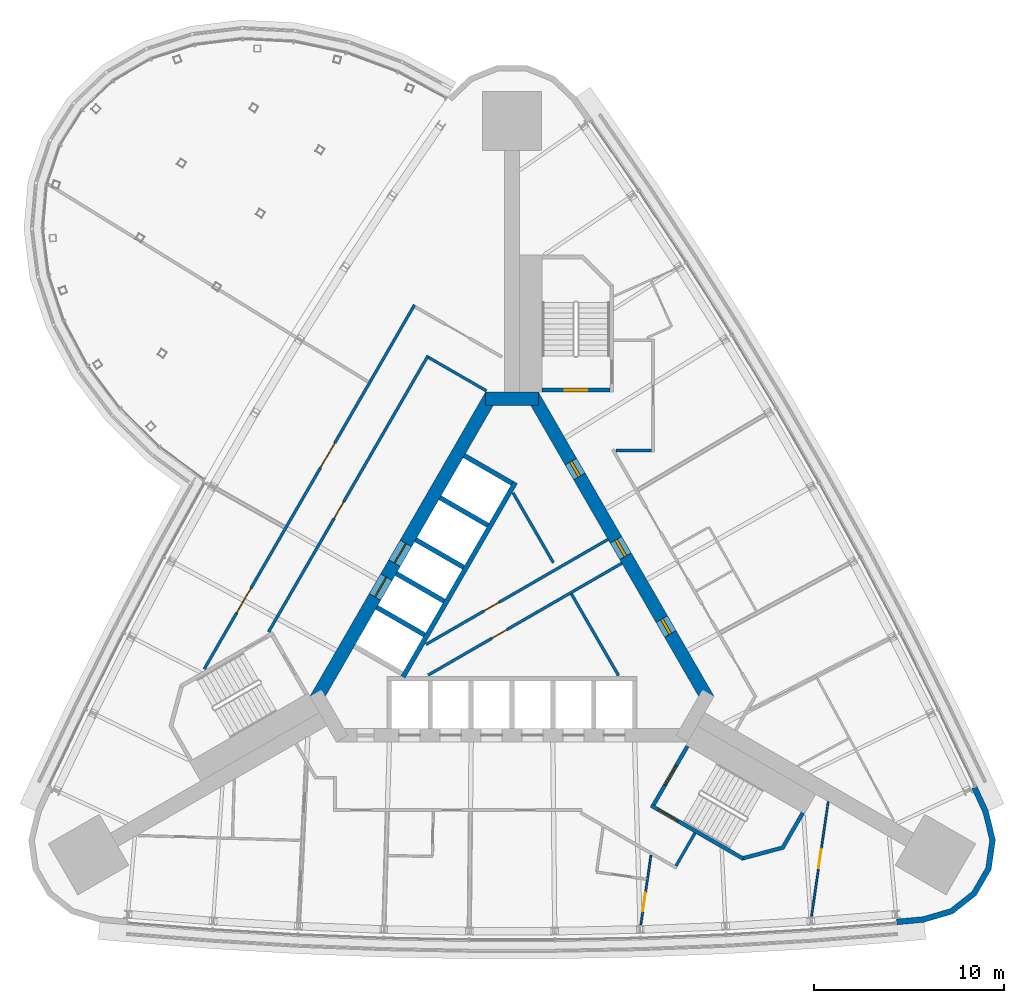
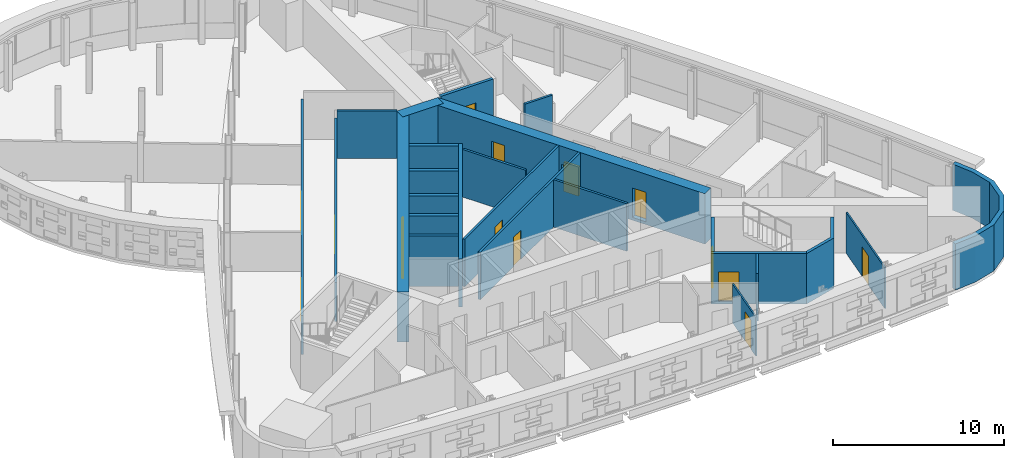
# One storey, part 11 of 16: 25 walls, 15 doors, 15 openings.
"""IFC4 building model written with IfcOpenShell, lengths in metres."""

import ifcopenshell
import ifcopenshell.guid

model = None  # the IFC model being written
_history = None  # IfcOwnerHistory: only IFC2X3 demands one
_inside = {}  # id of a spatial element -> (the spatial element, [elements in it])
_under = {}  # id of a project, library or spatial element -> (it, [spatial elements below it])
_declared = {}  # id of a project -> (the project, [libraries it declares])
_typed = {}  # id of a type object -> (the type object, [elements of that type])
_made_of = {}  # id of a material, layer set ... -> (it, [elements and type objects made of it])


def new_model(schema):
    """Start an empty IFC model of exactly this schema.

    Asked for "IFC4X3", IfcOpenShell would pick the latest addendum, in which some entities
    have other attributes; the version numbers below select the first issue.
    IFC2X3 requires an IfcOwnerHistory on every rooted entity: one is made here for all.
    """
    global model, _history
    if schema == "IFC4X3":
        model = ifcopenshell.file(schema_version=(4, 3, 0, 0))
    else:
        model = ifcopenshell.file(schema=schema)
    _inside.clear()
    _under.clear()
    _declared.clear()
    _typed.clear()
    _made_of.clear()
    _history = None
    if model.schema == "IFC2X3":
        org = make("IfcOrganization", Name="unknown")
        user = make(
            "IfcPersonAndOrganization",
            ThePerson=make("IfcPerson", FamilyName="unknown"),
            TheOrganization=org,
        )
        app = make(
            "IfcApplication",
            ApplicationDeveloper=org,
            Version="unknown",
            ApplicationFullName="unknown",
            ApplicationIdentifier="unknown",
        )
        _history = make(
            "IfcOwnerHistory",
            OwningUser=user,
            OwningApplication=app,
            ChangeAction="ADDED",
            CreationDate=0,
        )
    return model


def make(cls, **values):
    """One entity of the class cls with the attributes given. An attribute that is None is left unset."""
    return model.create_entity(
        cls, **{name: value for name, value in values.items() if value is not None}
    )


def rooted(cls, **values):
    """An entity with a GlobalId (a new one), such as an element, a storey or a relation."""
    return make(cls, GlobalId=ifcopenshell.guid.new(), OwnerHistory=_history, **values)


def si_unit(unit_type, name, prefix=None):
    """IfcSIUnit, for example si_unit("LENGTHUNIT", "METRE", prefix="MILLI")."""
    return make("IfcSIUnit", UnitType=unit_type, Prefix=prefix, Name=name)


def assignment(units):
    """IfcUnitAssignment: the units of a project."""
    return None if units is None else make("IfcUnitAssignment", Units=units)


def point(xyz):
    """IfcCartesianPoint."""
    return None if xyz is None else make("IfcCartesianPoint", Coordinates=xyz)


def direction(xyz):
    """IfcDirection."""
    return None if xyz is None else make("IfcDirection", DirectionRatios=xyz)


def frame(location, z_axis=None, x_axis=None):
    """IfcAxis2Placement3D, a coordinate frame: its origin and axes. An axis left out is left unset."""
    return make(
        "IfcAxis2Placement3D",
        Location=point(location),
        Axis=direction(z_axis),
        RefDirection=direction(x_axis),
    )


def frame_2d(location, x_axis=None):
    """IfcAxis2Placement2D, a coordinate frame in the plane: its origin and x axis."""
    return make(
        "IfcAxis2Placement2D", Location=point(location), RefDirection=direction(x_axis)
    )


def origin():
    """The frame at (0, 0, 0) with its axes left unset."""
    return frame((0.0, 0.0, 0.0))


def place(relative_to, where):
    """IfcLocalPlacement: puts the frame where relative to a parent placement (None: the world)."""
    return make(
        "IfcLocalPlacement", PlacementRelTo=relative_to, RelativePlacement=where
    )


def context(
    kind, dimensions, precision=None, world=None, true_north=None, identifier=None
):
    """IfcGeometricRepresentationContext, for example the 3D "Model" context."""
    return make(
        "IfcGeometricRepresentationContext",
        ContextIdentifier=identifier,
        ContextType=kind,
        CoordinateSpaceDimension=dimensions,
        Precision=precision,
        WorldCoordinateSystem=world,
        TrueNorth=true_north,
    )


def subcontext(parent, identifier, kind, view, scale=None):
    """IfcGeometricRepresentationSubContext, for example "Body" below "Model"."""
    return make(
        "IfcGeometricRepresentationSubContext",
        ContextIdentifier=identifier,
        ContextType=kind,
        ParentContext=parent,
        TargetScale=scale,
        TargetView=view,
    )


def project(units=None, contexts=None):
    """IfcProject with its units and contexts."""
    return rooted(
        "IfcProject",
        Name="project",
        RepresentationContexts=contexts,
        UnitsInContext=assignment(units),
    )


def spatial(cls, under=None, at=None, **own):
    """A site, building, storey or space (cls), placed at a placement, below another one or the project."""
    s = rooted(cls, ObjectPlacement=at, **own)
    if under is not None:
        _under.setdefault(under.id(), (under, []))[1].append(s)
    return s


def polyline(points):
    """IfcPolyline through the points."""
    return make("IfcPolyline", Points=[point(p) for p in points])


def profile(cls, at=None, kind="AREA", **sizes):
    """A parametric profile (cls). Its sizes go by their IFC names, for example OverallWidth=200.0."""
    return make(cls, ProfileType=kind, Position=at, **sizes)


def rectangle(**sizes):
    """IfcRectangleProfileDef."""
    return profile("IfcRectangleProfileDef", **sizes)


def outline(outer, holes=None, kind="AREA"):
    """IfcArbitraryClosedProfileDef: a profile drawn as a closed curve; with holes, ...WithVoids."""
    if holes is None:
        return make("IfcArbitraryClosedProfileDef", ProfileType=kind, OuterCurve=outer)
    return make(
        "IfcArbitraryProfileDefWithVoids",
        ProfileType=kind,
        OuterCurve=outer,
        InnerCurves=holes,
    )


def extrude(swept, where, along, depth):
    """IfcExtrudedAreaSolid: the profile swept, set in the frame where, extruded along a direction by depth."""
    return make(
        "IfcExtrudedAreaSolid",
        SweptArea=swept,
        Position=where,
        ExtrudedDirection=direction(along),
        Depth=depth,
    )


def shape(context_of_items, identifier, shape_type, items):
    """IfcShapeRepresentation: the items that make up one representation, for example the "Body"."""
    return make(
        "IfcShapeRepresentation",
        ContextOfItems=context_of_items,
        RepresentationIdentifier=identifier,
        RepresentationType=shape_type,
        Items=items,
    )


def material(Name=None, Category=None):
    """IfcMaterial."""
    return make("IfcMaterial", Name=Name, Category=Category)


def layer(
    of_material, thickness, ventilated=None, Name=None, Category=None, Priority=None
):
    """IfcMaterialLayer: one layer of a wall or slab, of a material (None: an air gap)."""
    return make(
        "IfcMaterialLayer",
        Material=of_material,
        LayerThickness=thickness,
        IsVentilated=ventilated,
        Name=Name,
        Category=Category,
        Priority=Priority,
    )


def layer_set(layers, Name=None):
    """IfcMaterialLayerSet."""
    return make("IfcMaterialLayerSet", MaterialLayers=layers, LayerSetName=Name)


def made_of(thing, what):
    """Note that an element or type object is made of a material, layer set ...; save() writes the relation."""
    if what is not None:
        _made_of.setdefault(what.id(), (what, []))[1].append(thing)
    return thing


def type_object(cls, material=None, **own):
    """A type object (cls), such as IfcWallType, which elements share."""
    return made_of(rooted(cls, **own), material)


def element(
    cls,
    number,
    at=None,
    inside=None,
    cuts=None,
    type_object=None,
    material=None,
    context=None,
    identifier="Body",
    shape_type=None,
    held_by="IfcProductDefinitionShape",
    body=None,
    shapes=None,
    **own,
):
    """One element of the class cls, such as IfcWall. Its Tag is "e" and its number.

    at: its placement. inside: the storey or other place that contains it. cuts: it is an
    opening in that element (IfcRelVoidsElement). A single representation is given by context,
    identifier, shape_type and body (its items); several are given by shapes. held_by: the class
    of the entity that holds the representations. save() writes the other relations.
    """
    e = rooted(cls, Tag="e%d" % number, ObjectPlacement=at, **own)
    if body is not None:
        shapes = [shape(context, identifier, shape_type, body)]
    if shapes is not None:
        e.Representation = make(held_by, Representations=shapes)
    if inside is not None:
        _inside.setdefault(inside.id(), (inside, []))[1].append(e)
    if cuts is not None:
        rooted(
            "IfcRelVoidsElement", RelatingBuildingElement=cuts, RelatedOpeningElement=e
        )
    if type_object is not None:
        _typed.setdefault(type_object.id(), (type_object, []))[1].append(e)
    return made_of(e, material)


def fill(opening, filler):
    """IfcRelFillsElement: the door or window that sits in an opening."""
    return rooted(
        "IfcRelFillsElement",
        RelatingOpeningElement=opening,
        RelatedBuildingElement=filler,
    )


def aggregate(whole, parts):
    """IfcRelAggregates: a whole, such as a stair, and the parts it consists of."""
    return rooted("IfcRelAggregates", RelatingObject=whole, RelatedObjects=parts)


def save(model, path):
    """Write the relations noted so far, then the file.

    IfcRelAggregates (storeys below a building ...), IfcRelContainedInSpatialStructure (elements
    in a storey), IfcRelDefinesByType, IfcRelAssociatesMaterial and IfcRelDeclares: one each for
    every whole, place, type object, material and project.
    """
    for whole, parts in _under.values():
        aggregate(whole, parts)
    for where, things in _inside.values():
        rooted(
            "IfcRelContainedInSpatialStructure",
            RelatedElements=things,
            RelatingStructure=where,
        )
    for kind, things in _typed.values():
        rooted("IfcRelDefinesByType", RelatedObjects=things, RelatingType=kind)
    for what, things in _made_of.values():
        rooted("IfcRelAssociatesMaterial", RelatedObjects=things, RelatingMaterial=what)
    for by, libraries in _declared.values():
        rooted("IfcRelDeclares", RelatingContext=by, RelatedDefinitions=libraries)
    model.write(path)


model = new_model("IFC4")

# Units and contexts
model_context = context("Model", 3, precision=1e-05, world=origin(), true_north=direction((0.0, 1.0)))
body_context = subcontext(model_context, "Body", "Model", "MODEL_VIEW")
ifc_project = project(units=[si_unit("LENGTHUNIT", "METRE"), si_unit("AREAUNIT", "SQUARE_METRE"), si_unit("VOLUMEUNIT", "CUBIC_METRE"), si_unit("PLANEANGLEUNIT", "RADIAN"), si_unit("MASSUNIT", "GRAM", prefix="KILO")], contexts=[model_context])

# Site, building, storey
site_placement = place(None, origin())
site = spatial("IfcSite", under=ifc_project, at=site_placement, CompositionType="ELEMENT")
building_placement = place(site_placement, origin())
building = spatial("IfcBuilding", under=site, at=building_placement, Name="Noor Cloister Tower", CompositionType="ELEMENT")
storey_placement = place(building_placement, frame((0.0, 0.0, 91.5)))
storey = spatial("IfcBuildingStorey", under=building, at=storey_placement, Name="L23", CompositionType="ELEMENT", Elevation=91.5)

# Wall, opening, door
ifc_material_1 = material(Name="Concrete C30/37", Category="concrete")
ifc_layer_1 = layer(ifc_material_1, 0.14990234375)
ifc_layer_set_1 = layer_set([ifc_layer_1], Name="Core partition 150 C30/37")
wall_type_1 = type_object("IfcWallType", Name="Core partition 150 C30/37", PredefinedType="PARTITIONING", material=ifc_layer_set_1)
wall_1_placement = place(storey_placement, frame((-4.522705078125, -1.80712890625, 0.0), z_axis=(0.0, 0.0, 1.0), x_axis=(0.866030300338, 0.499991518824, 0.0)))
wall_1 = element("IfcWall", 1, at=wall_1_placement, inside=storey, type_object=wall_type_1, Name="Core room partition L23 1", PredefinedType="PARTITIONING", context=body_context, shape_type="SweptSolid", body=[
    extrude(rectangle(XDim=11.048583984375, YDim=0.14990234375, at=frame_2d((5.5244140625, 0.0))), origin(), (0.0, 0.0, 1.0), 3.39990234375),
])
opening_1_placement = place(wall_1_placement, frame((3.525390625, 0.0, 0.0)))
opening_1 = element("IfcOpeningElement", 2, at=opening_1_placement, cuts=wall_1, Name="Opening L23-906", PredefinedType="OPENING", context=body_context, shape_type="SweptSolid", body=[
    extrude(rectangle(XDim=0.89990234375, YDim=2.10009765625, at=frame_2d((0.449951171875, 1.050048828125))), frame((0.0, 0.0849609375, 0.0), z_axis=(0.0, -1.0, 0.0), x_axis=(1.0, 0.0, 0.0)), (0.0, 0.0, 1.0), 0.169921875),
])
ifc_material_2 = material(Name="Steel", Category="steel")
door_type_1 = type_object("IfcDoorType", Name="Core door 900 x 2100 FD60", OperationType="SINGLE_SWING_LEFT", PredefinedType="DOOR", material=ifc_material_2)
door_1_placement = place(opening_1_placement, origin())
door_1 = element("IfcDoor", 3, at=door_1_placement, inside=storey, type_object=door_type_1, Name="Core door 6 L23", OperationType="SINGLE_SWING_RIGHT", OverallHeight=2.10009765625, OverallWidth=0.89990234375, PredefinedType="DOOR", context=body_context, shape_type="SweptSolid", body=[
    extrude(rectangle(XDim=0.89990234375, YDim=2.10009765625, at=frame_2d((0.449951171875, 1.050048828125))), frame((0.0, 0.02490234375, 0.0), z_axis=(0.0, -1.0, 0.0), x_axis=(1.0, 0.0, 0.0)), (0.0, 0.0, 1.0), 0.050048828125),
])
fill(opening_1, door_1)

wall_2_placement = place(storey_placement, frame((-4.404296875, -3.4130859375, 0.0), z_axis=(0.0, 0.0, 1.0), x_axis=(0.866022252853, 0.500005457533, 0.0)))
wall_2 = element("IfcWall", 4, at=wall_2_placement, inside=storey, type_object=wall_type_1, Name="Core room partition L23 2", PredefinedType="PARTITIONING", context=body_context, shape_type="SweptSolid", body=[
    extrude(rectangle(XDim=11.748779296875, YDim=0.14990234375, at=frame_2d((5.87451171875, 0.0))), origin(), (0.0, 0.0, 1.0), 3.39990234375),
])
opening_2_placement = place(wall_2_placement, frame((3.87548828125, 0.0, 0.0)))
opening_2 = element("IfcOpeningElement", 5, at=opening_2_placement, cuts=wall_2, Name="Opening L23-904", PredefinedType="OPENING", context=body_context, shape_type="SweptSolid", body=[
    extrude(rectangle(XDim=0.89990234375, YDim=2.10009765625, at=frame_2d((0.449951171875, 1.050048828125))), frame((0.0, 0.0849609375, 0.0), z_axis=(0.0, -1.0, 0.0), x_axis=(1.0, 0.0, 0.0)), (0.0, 0.0, 1.0), 0.169921875),
])
ifc_material_3 = material(Name="Steel", Category="steel")
door_type_2 = type_object("IfcDoorType", Name="Core door 900 x 2100 FD120", OperationType="SINGLE_SWING_LEFT", PredefinedType="DOOR", material=ifc_material_3)
door_2_placement = place(opening_2_placement, origin())
door_2 = element("IfcDoor", 6, at=door_2_placement, inside=storey, type_object=door_type_2, Name="Core door 4 L23", OperationType="SINGLE_SWING_RIGHT", OverallHeight=2.10009765625, OverallWidth=0.89990234375, PredefinedType="DOOR", context=body_context, shape_type="SweptSolid", body=[
    extrude(rectangle(XDim=0.89990234375, YDim=2.10009765625, at=frame_2d((0.449951171875, 1.050048828125))), frame((0.0, 0.02490234375, 0.0), z_axis=(0.0, -1.0, 0.0), x_axis=(1.0, 0.0, 0.0)), (0.0, 0.0, 1.0), 0.050048828125),
])
fill(opening_2, door_2)

# Walls
wall_3_placement = place(storey_placement, frame((2.173583984375, 2.491943359375, 0.0), z_axis=(0.0, 0.0, 1.0), x_axis=(-0.499999641798, 0.866025610592, 0.0)))
element("IfcWall", 7, at=wall_3_placement, inside=storey, type_object=wall_type_1, Name="Core room partition L23 3", PredefinedType="PARTITIONING", context=body_context, shape_type="SweptSolid", body=[
    extrude(rectangle(XDim=4.244140625, YDim=0.14990234375, at=frame_2d((2.1220703125, 0.0))), origin(), (0.0, 0.0, 1.0), 3.39990234375),
])
wall_4_placement = place(storey_placement, frame((5.597900390625, -3.439208984375, 0.0), z_axis=(0.0, 0.0, 1.0), x_axis=(-0.500007155043, 0.866021272779, 0.0)))
element("IfcWall", 8, at=wall_4_placement, inside=storey, type_object=wall_type_1, Name="Core room partition L23 4", PredefinedType="PARTITIONING", context=body_context, shape_type="SweptSolid", body=[
    extrude(rectangle(XDim=4.94873046875, YDim=0.14990234375, at=frame_2d((2.474365234375, 0.0))), origin(), (0.0, 0.0, 1.0), 3.39990234375),
])

# Wall, openings, doors
ifc_material_4 = material(Name="Concrete C80/95", Category="concrete")
ifc_layer_2 = layer(ifc_material_4, 0.699951171875)
ifc_layer_set_2 = layer_set([ifc_layer_2], Name="Core wall 700 C80/95")
wall_type_2 = type_object("IfcWallType", Name="Core wall 700 C80/95", PredefinedType="SHEAR", material=ifc_layer_set_2)
wall_5_placement = place(storey_placement, frame((10.311279296875, -4.703125, -0.199951171875), z_axis=(0.0, 0.0, 1.0), x_axis=(-0.500001446645, 0.866024568562, 0.0)))
wall_5 = element("IfcWall", 9, at=wall_5_placement, inside=storey, type_object=wall_type_2, Name="Core wall L23 3", PredefinedType="SHEAR", context=body_context, shape_type="SweptSolid", body=[
    extrude(rectangle(XDim=18.45751953125, YDim=0.699951171875, at=frame_2d((9.228759765625, 0.0))), origin(), (0.0, 0.0, 1.0), 3.599853515625),
])
opening_3_placement = place(wall_5_placement, frame((8.699951171875, 0.0, 0.199951171875)))
opening_3 = element("IfcOpeningElement", 10, at=opening_3_placement, cuts=wall_5, Name="Opening L23-901", PredefinedType="OPENING", context=body_context, shape_type="SweptSolid", body=[
    extrude(rectangle(XDim=1.0, YDim=2.10009765625, at=frame_2d((0.5, 1.050048828125))), frame((0.0, 0.35986328125, 0.0), z_axis=(0.0, -1.0, 0.0), x_axis=(1.0, 0.0, 0.0)), (0.0, 0.0, 1.0), 0.719970703125),
])
opening_4_placement = place(wall_5_placement, frame((3.989501953125, 0.0, 0.199951171875)))
opening_4 = element("IfcOpeningElement", 11, at=opening_4_placement, cuts=wall_5, Name="Opening L23-902", PredefinedType="OPENING", context=body_context, shape_type="SweptSolid", body=[
    extrude(rectangle(XDim=0.89990234375, YDim=2.10009765625, at=frame_2d((0.449951171875, 1.050048828125))), frame((0.0, 0.35986328125, 0.0), z_axis=(0.0, -1.0, 0.0), x_axis=(1.0, 0.0, 0.0)), (0.0, 0.0, 1.0), 0.719970703125),
])
opening_5_placement = place(wall_5_placement, frame((13.539306640625, 0.0, 0.199951171875)))
opening_5 = element("IfcOpeningElement", 12, at=opening_5_placement, cuts=wall_5, Name="Opening L23-903", PredefinedType="OPENING", context=body_context, shape_type="SweptSolid", body=[
    extrude(rectangle(XDim=0.89990234375, YDim=2.10009765625, at=frame_2d((0.449951171875, 1.050048828125))), frame((0.0, 0.35986328125, 0.0), z_axis=(0.0, -1.0, 0.0), x_axis=(1.0, 0.0, 0.0)), (0.0, 0.0, 1.0), 0.719970703125),
])
ifc_material_5 = material(Name="Steel", Category="steel")
door_type_3 = type_object("IfcDoorType", Name="Core door 1000 x 2100 FD120", OperationType="SINGLE_SWING_LEFT", PredefinedType="DOOR", material=ifc_material_5)
door_3_placement = place(opening_3_placement, origin())
door_3 = element("IfcDoor", 13, at=door_3_placement, inside=storey, type_object=door_type_3, Name="Core door 1 L23", OperationType="SINGLE_SWING_LEFT", OverallHeight=2.10009765625, OverallWidth=1.0, PredefinedType="DOOR", context=body_context, shape_type="SweptSolid", body=[
    extrude(rectangle(XDim=1.0, YDim=2.10009765625, at=frame_2d((0.5, 1.050048828125))), frame((0.0, 0.074951171875, 0.0), z_axis=(0.0, -1.0, 0.0), x_axis=(1.0, 0.0, 0.0)), (0.0, 0.0, 1.0), 0.14990234375),
])
fill(opening_3, door_3)
door_4_placement = place(opening_4_placement, origin())
door_4 = element("IfcDoor", 14, at=door_4_placement, inside=storey, type_object=door_type_2, Name="Core door 2 L23", OperationType="SINGLE_SWING_RIGHT", OverallHeight=2.10009765625, OverallWidth=0.89990234375, PredefinedType="DOOR", context=body_context, shape_type="SweptSolid", body=[
    extrude(rectangle(XDim=0.89990234375, YDim=2.10009765625, at=frame_2d((0.449951171875, 1.050048828125))), frame((0.0, 0.074951171875, 0.0), z_axis=(0.0, -1.0, 0.0), x_axis=(1.0, 0.0, 0.0)), (0.0, 0.0, 1.0), 0.14990234375),
])
fill(opening_4, door_4)
door_5_placement = place(opening_5_placement, origin())
door_5 = element("IfcDoor", 15, at=door_5_placement, inside=storey, type_object=door_type_2, Name="Core door 3 L23", OperationType="SINGLE_SWING_LEFT", OverallHeight=2.10009765625, OverallWidth=0.89990234375, PredefinedType="DOOR", context=body_context, shape_type="SweptSolid", body=[
    extrude(rectangle(XDim=0.89990234375, YDim=2.10009765625, at=frame_2d((0.449951171875, 1.050048828125))), frame((0.0, 0.074951171875, 0.0), z_axis=(0.0, -1.0, 0.0), x_axis=(1.0, 0.0, 0.0)), (0.0, 0.0, 1.0), 0.14990234375),
])
fill(opening_5, door_5)

# Wall
wall_6_placement = place(storey_placement, frame((1.3857421875, 11.1064453125, -0.199951171875), z_axis=(0.0, 0.0, 1.0), x_axis=(-1.0, 0.0, 0.0)))
element("IfcWall", 16, at=wall_6_placement, inside=storey, type_object=wall_type_2, Name="Core wall L23 4", PredefinedType="SHEAR", context=body_context, shape_type="SweptSolid", body=[
    extrude(rectangle(XDim=2.771484375, YDim=0.699951171875, at=frame_2d((1.3857421875, 0.0))), origin(), (0.0, 0.0, 1.0), 3.599853515625),
])

# Wall, openings, doors
wall_7_placement = place(storey_placement, frame((-1.08251953125, 11.281494140625, -0.199951171875), z_axis=(0.0, 0.0, 1.0), x_axis=(-0.500001446645, -0.866024568562, 0.0)))
wall_7 = element("IfcWall", 17, at=wall_7_placement, inside=storey, type_object=wall_type_2, Name="Core wall L23 5", PredefinedType="SHEAR", context=body_context, shape_type="SweptSolid", body=[
    extrude(rectangle(XDim=18.45751953125, YDim=0.699951171875, at=frame_2d((9.228759765625, 0.0))), origin(), (0.0, 0.0, 1.0), 3.599853515625),
])
opening_6_placement = place(wall_7_placement, frame((8.978759765625, 0.0, 0.199951171875)))
opening_6 = element("IfcOpeningElement", 18, at=opening_6_placement, cuts=wall_7, Name="Opening L23-FF1", PredefinedType="OPENING", context=body_context, shape_type="SweptSolid", body=[
    extrude(rectangle(XDim=1.199951171875, YDim=2.10009765625, at=frame_2d((0.60009765625, 1.050048828125))), frame((0.0, 0.35986328125, 0.0), z_axis=(0.0, -1.0, 0.0), x_axis=(1.0, 0.0, 0.0)), (0.0, 0.0, 1.0), 0.719970703125),
])
opening_7_placement = place(wall_7_placement, frame((11.02880859375, 0.0, 0.199951171875)))
opening_7 = element("IfcOpeningElement", 19, at=opening_7_placement, cuts=wall_7, Name="Opening L23-FF2", PredefinedType="OPENING", context=body_context, shape_type="SweptSolid", body=[
    extrude(rectangle(XDim=1.199951171875, YDim=2.10009765625, at=frame_2d((0.60009765625, 1.050048828125))), frame((0.0, 0.35986328125, 0.0), z_axis=(0.0, -1.0, 0.0), x_axis=(1.0, 0.0, 0.0)), (0.0, 0.0, 1.0), 0.719970703125),
])
ifc_material_6 = material(Name="Stainless steel", Category="steel")
door_type_4 = type_object("IfcDoorType", Name="Lift landing door 1200 x 2100", OperationType="DOUBLE_DOOR_SLIDING", PredefinedType="DOOR", material=ifc_material_6)
door_6_placement = place(opening_6_placement, origin())
door_6 = element("IfcDoor", 20, at=door_6_placement, inside=storey, type_object=door_type_4, Name="Landing door FF1 L23", OperationType="DOUBLE_DOOR_SLIDING", OverallHeight=2.10009765625, OverallWidth=1.199951171875, PredefinedType="DOOR", context=body_context, shape_type="SweptSolid", body=[
    extrude(rectangle(XDim=1.199951171875, YDim=2.10009765625, at=frame_2d((0.60009765625, 1.050048828125))), frame((0.0, 0.02490234375, 0.0), z_axis=(0.0, -1.0, 0.0), x_axis=(1.0, 0.0, 0.0)), (0.0, 0.0, 1.0), 0.050048828125),
])
fill(opening_6, door_6)
door_7_placement = place(opening_7_placement, origin())
door_7 = element("IfcDoor", 21, at=door_7_placement, inside=storey, type_object=door_type_4, Name="Landing door FF2 L23", OperationType="DOUBLE_DOOR_SLIDING", OverallHeight=2.10009765625, OverallWidth=1.199951171875, PredefinedType="DOOR", context=body_context, shape_type="SweptSolid", body=[
    extrude(rectangle(XDim=1.199951171875, YDim=2.10009765625, at=frame_2d((0.60009765625, 1.050048828125))), frame((0.0, 0.02490234375, 0.0), z_axis=(0.0, -1.0, 0.0), x_axis=(1.0, 0.0, 0.0)), (0.0, 0.0, 1.0), 0.050048828125),
])
fill(opening_7, door_7)

# Wall, opening, door
ifc_material_7 = material(Name="Fire-rated gypsum board partition on steel studs, 150 mm", Category="steel")
ifc_layer_3 = layer(ifc_material_7, 0.14990234375)
ifc_layer_set_3 = layer_set([ifc_layer_3], Name="Fire lobby wall 150")
wall_type_3 = type_object("IfcWallType", Name="Fire lobby wall 150", PredefinedType="PARTITIONING", material=ifc_layer_set_3)
wall_8_placement = place(storey_placement, frame((-4.40673828125, 13.373779296875, 0.0), z_axis=(0.0, 0.0, 1.0), x_axis=(-0.499997181693, -0.866027030928, 0.0)))
wall_8 = element("IfcWall", 22, at=wall_8_placement, inside=storey, type_object=wall_type_3, Name="Fire lobby wall 150 L23 002", PredefinedType="PARTITIONING", context=body_context, shape_type="SweptSolid", body=[
    extrude(rectangle(XDim=16.76953125, YDim=0.14990234375, at=frame_2d((8.384765625, 0.0))), origin(), (0.0, 0.0, 1.0), 2.778076171875),
])
opening_8_placement = place(wall_8_placement, frame((8.878662109375, 0.0, 0.0)))
opening_8 = element("IfcOpeningElement", 23, at=opening_8_placement, cuts=wall_8, Name="Opening L23-003", PredefinedType="OPENING", context=body_context, shape_type="SweptSolid", body=[
    extrude(rectangle(XDim=1.0, YDim=2.10009765625, at=frame_2d((0.5, 1.050048828125))), frame((0.0, 0.0849609375, 0.0), z_axis=(0.0, -1.0, 0.0), x_axis=(1.0, 0.0, 0.0)), (0.0, 0.0, 1.0), 0.169921875),
])
ifc_material_8 = material(Name="Timber door leaf with steel frame", Category="steel")
door_type_5 = type_object("IfcDoorType", Name="Fire lobby door 1000", OperationType="NOTDEFINED", PredefinedType="DOOR", material=ifc_material_8)
door_8_placement = place(opening_8_placement, origin())
door_8 = element("IfcDoor", 24, at=door_8_placement, inside=storey, type_object=door_type_5, Name="Fire lobby door 1000 L23-003", OperationType="SINGLE_SWING_RIGHT", OverallHeight=2.10009765625, OverallWidth=1.0, PredefinedType="DOOR", context=body_context, shape_type="SweptSolid", body=[
    extrude(rectangle(XDim=1.0, YDim=2.10009765625, at=frame_2d((0.5, 1.050048828125))), frame((0.0, 0.02490234375, 0.0), z_axis=(0.0, -1.0, 0.0), x_axis=(1.0, 0.0, 0.0)), (0.0, 0.0, 1.0), 0.050048828125),
])
fill(opening_8, door_8)

# Wall
wall_9_placement = place(storey_placement, frame((-4.379150390625, 13.271484375, 0.0), z_axis=(0.0, 0.0, 1.0), x_axis=(0.866019471182, -0.500010275428, 0.0)))
element("IfcWall", 25, at=wall_9_placement, inside=storey, type_object=wall_type_3, Name="Fire lobby wall 150 L23 008", PredefinedType="PARTITIONING", context=body_context, shape_type="SweptSolid", body=[
    extrude(rectangle(XDim=3.5, YDim=0.14990234375, at=frame_2d((1.75, 0.0))), origin(), (0.0, 0.0, 1.0), 3.39990234375),
])

# Wall, openings, doors
ifc_material_9 = material(Name="Gypsum board partition on steel studs, 150 mm", Category="steel")
ifc_layer_4 = layer(ifc_material_9, 0.14990234375)
ifc_layer_set_4 = layer_set([ifc_layer_4], Name="Flat wall 150")
wall_type_4 = type_object("IfcWallType", Name="Flat wall 150", PredefinedType="PARTITIONING", material=ifc_layer_set_4)
wall_10_placement = place(storey_placement, frame((-16.1689453125, -3.09912109375, 0.0), z_axis=(0.0, 0.0, 1.0), x_axis=(0.499999805269, 0.866025516212, 0.0)))
wall_10 = element("IfcWall", 26, at=wall_10_placement, inside=storey, type_object=wall_type_4, Name="Flat wall 150 L23 001", PredefinedType="PARTITIONING", context=body_context, shape_type="SweptSolid", body=[
    extrude(rectangle(XDim=22.09716796875, YDim=0.14990234375, at=frame_2d((11.048583984375, 0.0))), origin(), (0.0, 0.0, 1.0), 2.778076171875),
])
opening_9_placement = place(wall_10_placement, frame((12.22119140625, 0.0, 0.0)))
opening_9 = element("IfcOpeningElement", 27, at=opening_9_placement, cuts=wall_10, Name="Opening L23-001", PredefinedType="OPENING", context=body_context, shape_type="SweptSolid", body=[
    extrude(rectangle(XDim=1.5, YDim=2.10009765625, at=frame_2d((0.75, 1.050048828125))), frame((0.0, 0.0849609375, 0.0), z_axis=(0.0, -1.0, 0.0), x_axis=(1.0, 0.0, 0.0)), (0.0, 0.0, 1.0), 0.169921875),
])
opening_10_placement = place(wall_10_placement, frame((3.402587890625, 0.0, 0.0)))
opening_10 = element("IfcOpeningElement", 28, at=opening_10_placement, cuts=wall_10, Name="Opening L23-002", PredefinedType="OPENING", context=body_context, shape_type="SweptSolid", body=[
    extrude(rectangle(XDim=1.5, YDim=2.10009765625, at=frame_2d((0.75, 1.050048828125))), frame((0.0, 0.0849609375, 0.0), z_axis=(0.0, -1.0, 0.0), x_axis=(1.0, 0.0, 0.0)), (0.0, 0.0, 1.0), 0.169921875),
])
ifc_material_10 = material(Name="Timber door leaf with steel frame", Category="steel")
door_type_6 = type_object("IfcDoorType", Name="Double door 1500 FD60", OperationType="NOTDEFINED", PredefinedType="DOOR", material=ifc_material_10)
door_9_placement = place(opening_9_placement, origin())
door_9 = element("IfcDoor", 29, at=door_9_placement, inside=storey, type_object=door_type_6, Name="Double door 1500 L23-001", OperationType="DOUBLE_DOOR_SINGLE_SWING", OverallHeight=2.10009765625, OverallWidth=1.5, PredefinedType="DOOR", context=body_context, shape_type="SweptSolid", body=[
    extrude(rectangle(XDim=1.5, YDim=2.10009765625, at=frame_2d((0.75, 1.050048828125))), frame((0.0, 0.02490234375, 0.0), z_axis=(0.0, -1.0, 0.0), x_axis=(1.0, 0.0, 0.0)), (0.0, 0.0, 1.0), 0.050048828125),
])
fill(opening_9, door_9)
door_10_placement = place(opening_10_placement, origin())
door_10 = element("IfcDoor", 30, at=door_10_placement, inside=storey, type_object=door_type_6, Name="Double door 1500 L23-002", OperationType="DOUBLE_DOOR_SINGLE_SWING", OverallHeight=2.10009765625, OverallWidth=1.5, PredefinedType="DOOR", context=body_context, shape_type="SweptSolid", body=[
    extrude(rectangle(XDim=1.5, YDim=2.10009765625, at=frame_2d((0.75, 1.050048828125))), frame((0.0, 0.02490234375, 0.0), z_axis=(0.0, -1.0, 0.0), x_axis=(1.0, 0.0, 0.0)), (0.0, 0.0, 1.0), 0.050048828125),
])
fill(opening_10, door_10)

# Walls
wall_11_placement = place(storey_placement, frame((8.613525390625, -13.443603515625, 0.0), z_axis=(0.0, 0.0, 1.0), x_axis=(0.499972520799, 0.866041268327, 0.0)))
element("IfcWall", 31, at=wall_11_placement, inside=storey, type_object=wall_type_4, Name="Flat wall 150 L23 010", PredefinedType="PARTITIONING", context=body_context, shape_type="SweptSolid", body=[
    extrude(rectangle(XDim=2.0, YDim=0.14990234375, at=frame_2d((1.0, 0.0))), origin(), (0.0, 0.0, 1.0), 3.39990234375),
])
wall_12_placement = place(storey_placement, frame((5.4560546875, 8.38134765625, 0.0), z_axis=(0.0, 0.0, 1.0), x_axis=(1.0, 0.0, 0.0)))
element("IfcWall", 32, at=wall_12_placement, inside=storey, type_object=wall_type_4, Name="Flat wall 150 L23 013", PredefinedType="PARTITIONING", context=body_context, shape_type="SweptSolid", body=[
    extrude(rectangle(XDim=1.879638671875, YDim=0.14990234375, at=frame_2d((0.93994140625, 0.0))), origin(), (0.0, 0.0, 1.0), 3.39990234375),
])
ifc_material_11 = material(Name="Limestone", Category="masonry")
ifc_layer_5 = layer(ifc_material_11, 0.300048828125)
ifc_layer_set_5 = layer_set([ifc_layer_5], Name="Limestone cladding 300")
wall_type_5 = type_object("IfcWallType", Name="Limestone cladding 300", PredefinedType="NOTDEFINED", material=ifc_layer_set_5)
wall_13_placement = place(storey_placement, origin())
element("IfcWall", 33, at=wall_13_placement, inside=storey, type_object=wall_type_5, Name="Limestone pier cladding L23 2.1", PredefinedType="NOTDEFINED", context=body_context, shape_type="SweptSolid", body=[
    extrude(outline(polyline([(20.2236328125, -16.53125), (21.65380859375, -16.399658203125), (23.1591796875, -15.958251953125), (24.392333984375, -14.988525390625), (25.1767578125, -13.630126953125), (25.399658203125, -12.077392578125), (25.029541015625, -10.552978515625), (24.42822265625, -9.24853515625), (24.15576171875, -9.3740234375), (24.744873046875, -10.652099609375), (25.094482421875, -12.092041015625), (24.887939453125, -13.5302734375), (24.161376953125, -14.78857421875), (23.019287109375, -15.6865234375), (21.597412109375, -16.103515625), (20.196044921875, -16.232421875), (20.2236328125, -16.53125)])), origin(), (0.0, 0.0, 1.0), 3.300048828125),
])

# Wall, opening, door
ifc_material_12 = material(Name="Gypsum board partition on steel studs, 100 mm", Category="steel")
ifc_layer_6 = layer(ifc_material_12, 0.10009765625)
ifc_layer_set_6 = layer_set([ifc_layer_6], Name="Partition 100")
wall_type_6 = type_object("IfcWallType", Name="Partition 100", PredefinedType="PARTITIONING", material=ifc_layer_set_6)
wall_14_placement = place(storey_placement, frame((16.610107421875, -10.072998046875, 0.0), z_axis=(0.0, 0.0, 1.0), x_axis=(-0.143841065588, -0.989600802269, 0.0)))
wall_14 = element("IfcWall", 34, at=wall_14_placement, inside=storey, type_object=wall_type_6, Name="Partition 100 L23 026", PredefinedType="PARTITIONING", context=body_context, shape_type="SweptSolid", body=[
    extrude(rectangle(XDim=6.072998046875, YDim=0.10009765625, at=frame_2d((3.03662109375, 0.0))), origin(), (0.0, 0.0, 1.0), 2.923095703125),
])
opening_11_placement = place(wall_14_placement, frame((2.5263671875, 0.0, 0.0)))
opening_11 = element("IfcOpeningElement", 35, at=opening_11_placement, cuts=wall_14, Name="Opening L23-019", PredefinedType="OPENING", context=body_context, shape_type="SweptSolid", body=[
    extrude(rectangle(XDim=1.0, YDim=2.10009765625, at=frame_2d((0.5, 1.050048828125))), frame((0.0, 0.06005859375, 0.0), z_axis=(0.0, -1.0, 0.0), x_axis=(1.0, 0.0, 0.0)), (0.0, 0.0, 1.0), 0.1201171875),
])
ifc_material_13 = material(Name="Timber door leaf with steel frame", Category="steel")
door_type_7 = type_object("IfcDoorType", Name="Interior door 1000", OperationType="NOTDEFINED", PredefinedType="DOOR", material=ifc_material_13)
door_11_placement = place(opening_11_placement, origin())
door_11 = element("IfcDoor", 36, at=door_11_placement, inside=storey, type_object=door_type_7, Name="Interior door 1000 L23-019", OperationType="SINGLE_SWING_LEFT", OverallHeight=2.10009765625, OverallWidth=1.0, PredefinedType="DOOR", context=body_context, shape_type="SweptSolid", body=[
    extrude(rectangle(XDim=1.0, YDim=2.10009765625, at=frame_2d((0.5, 1.050048828125))), frame((0.0, 0.02490234375, 0.0), z_axis=(0.0, -1.0, 0.0), x_axis=(1.0, 0.0, 0.0)), (0.0, 0.0, 1.0), 0.050048828125),
])
fill(opening_11, door_11)

wall_15_placement = place(storey_placement, frame((7.299560546875, -12.87939453125, 0.0), z_axis=(0.0, 0.0, 1.0), x_axis=(-0.14388794615, -0.989593986922, 0.0)))
wall_15 = element("IfcWall", 37, at=wall_15_placement, inside=storey, type_object=wall_type_6, Name="Partition 100 L23 028", PredefinedType="PARTITIONING", context=body_context, shape_type="SweptSolid", body=[
    extrude(rectangle(XDim=3.685302734375, YDim=0.10009765625, at=frame_2d((1.8427734375, 0.0))), origin(), (0.0, 0.0, 1.0), 2.778076171875),
])
opening_12_placement = place(wall_15_placement, frame((1.978759765625, 0.0, 0.0)))
opening_12 = element("IfcOpeningElement", 38, at=opening_12_placement, cuts=wall_15, Name="Opening L23-020", PredefinedType="OPENING", context=body_context, shape_type="SweptSolid", body=[
    extrude(rectangle(XDim=1.0, YDim=2.10009765625, at=frame_2d((0.5, 1.050048828125))), frame((0.0, 0.06005859375, 0.0), z_axis=(0.0, -1.0, 0.0), x_axis=(1.0, 0.0, 0.0)), (0.0, 0.0, 1.0), 0.1201171875),
])
door_12_placement = place(opening_12_placement, origin())
door_12 = element("IfcDoor", 39, at=door_12_placement, inside=storey, type_object=door_type_7, Name="Interior door 1000 L23-020", OperationType="SINGLE_SWING_RIGHT", OverallHeight=2.10009765625, OverallWidth=1.0, PredefinedType="DOOR", context=body_context, shape_type="SweptSolid", body=[
    extrude(rectangle(XDim=1.0, YDim=2.10009765625, at=frame_2d((0.5, 1.050048828125))), frame((0.0, 0.02490234375, 0.0), z_axis=(0.0, -1.0, 0.0), x_axis=(1.0, 0.0, 0.0)), (0.0, 0.0, 1.0), 0.050048828125),
])
fill(opening_12, door_12)

# Walls
ifc_material_14 = material(Name="Concrete C80/95", Category="concrete")
ifc_layer_7 = layer(ifc_material_14, 0.25)
ifc_layer_set_7 = layer_set([ifc_layer_7], Name="Shaft wall 250 C80/95")
wall_type_7 = type_object("IfcWallType", Name="Shaft wall 250 C80/95", PredefinedType="PARTITIONING", material=ifc_layer_set_7)
wall_16_placement = place(storey_placement, frame((-2.50634765625, 8.115478515625, -0.199951171875), z_axis=(0.0, 0.0, 1.0), x_axis=(0.865996321171, -0.50005036918, 0.0)))
element("IfcWall", 40, at=wall_16_placement, inside=storey, type_object=wall_type_7, Name="Lift shaft wall L23 NW 1", PredefinedType="PARTITIONING", context=body_context, shape_type="SweptSolid", body=[
    extrude(rectangle(XDim=2.900146484375, YDim=0.25, at=frame_2d((1.4501953125, 0.0))), origin(), (0.0, 0.0, 1.0), 3.599853515625),
])
for number, where, z_axis, x_axis, name in (
    (41, (-3.78125, 5.906982421875, -0.199951171875), (0.0, 0.0, 1.0), (0.866032775405, -0.499987231761, 0.0), "Lift shaft wall L23 NW 2"),
    (42, (-5.056396484375, 3.69873046875, -0.199951171875), (0.0, 0.0, 1.0), (0.866032775405, -0.499987231761, 0.0), "Lift shaft wall L23 NW 3"),
    (43, (-6.081298828125, 1.92333984375, -0.199951171875), (0.0, 0.0, 1.0), (0.866032775405, -0.499987231761, 0.0), "Lift shaft wall L23 NW 4"),
    (44, (-7.106201171875, 0.14794921875, -0.199951171875), (0.0, 0.0, 1.0), (0.866032775405, -0.499987231761, 0.0), "Lift shaft wall L23 NW 5"),
):
    element("IfcWall", number, at=place(storey_placement, frame(where, z_axis=z_axis, x_axis=x_axis)), inside=storey, type_object=wall_type_7, Name=name, PredefinedType="PARTITIONING", context=body_context, shape_type="SweptSolid", body=[
        extrude(rectangle(XDim=2.89990234375, YDim=0.25, at=frame_2d((1.449951171875, 0.0))), origin(), (0.0, 0.0, 1.0), 3.599853515625),
    ])
wall_17_placement = place(storey_placement, frame((0.176025390625, 6.711181640625, 0.0), z_axis=(0.0, 0.0, 1.0), x_axis=(-0.500004227369, -0.866022963098, 0.0)))
element("IfcWall", 45, at=wall_17_placement, inside=storey, type_object=wall_type_7, Name="Lift shaft back wall L23 NW", PredefinedType="PARTITIONING", context=body_context, shape_type="SweptSolid", body=[
    extrude(rectangle(XDim=11.80029296875, YDim=0.25, at=frame_2d((5.900146484375, 0.0))), origin(), (0.0, 0.0, 1.0), 3.39990234375),
])

# Wall, opening, door
ifc_material_15 = material(Name="Concrete C80/95", Category="concrete")
ifc_layer_8 = layer(ifc_material_15, 0.199951171875)
ifc_layer_set_8 = layer_set([ifc_layer_8], Name="Stair enclosure wall 200 C80/95")
wall_type_8 = type_object("IfcWallType", Name="Stair enclosure wall 200 C80/95", PredefinedType="SHEAR", material=ifc_layer_set_8)
wall_18_placement = place(storey_placement, frame((5.135498046875, 11.556396484375, -0.199951171875), z_axis=(0.0, 0.0, 1.0), x_axis=(-1.0, 0.0, 0.0)))
wall_18 = element("IfcWall", 46, at=wall_18_placement, inside=storey, type_object=wall_type_8, Name="Stair enclosure wall ST1 L23 near end", PredefinedType="SHEAR", context=body_context, shape_type="SweptSolid", body=[
    extrude(rectangle(XDim=3.5498046875, YDim=0.199951171875, at=frame_2d((1.77490234375, 0.0))), origin(), (0.0, 0.0, 1.0), 3.599853515625),
])
opening_13_placement = place(wall_18_placement, frame((1.175048828125, 0.0, 0.199951171875)))
opening_13 = element("IfcOpeningElement", 47, at=opening_13_placement, cuts=wall_18, Name="Opening L23-ST1L", PredefinedType="OPENING", context=body_context, shape_type="SweptSolid", body=[
    extrude(rectangle(XDim=1.199951171875, YDim=2.10009765625, at=frame_2d((0.60009765625, 1.050048828125))), frame((0.0, 0.10986328125, 0.0), z_axis=(0.0, -1.0, 0.0), x_axis=(1.0, 0.0, 0.0)), (0.0, 0.0, 1.0), 0.219970703125),
])
ifc_material_16 = material(Name="Steel", Category="steel")
door_type_8 = type_object("IfcDoorType", Name="Stair door 1200 x 2100 FD120", OperationType="SINGLE_SWING_LEFT", PredefinedType="DOOR", material=ifc_material_16)
door_13_placement = place(opening_13_placement, origin())
door_13 = element("IfcDoor", 48, at=door_13_placement, inside=storey, type_object=door_type_8, Name="Stair door ST1 L23", OperationType="SINGLE_SWING_RIGHT", OverallHeight=2.10009765625, OverallWidth=1.199951171875, PredefinedType="DOOR", context=body_context, shape_type="SweptSolid", body=[
    extrude(rectangle(XDim=1.199951171875, YDim=2.10009765625, at=frame_2d((0.60009765625, 1.050048828125))), frame((0.0, 0.02490234375, 0.0), z_axis=(0.0, -1.0, 0.0), x_axis=(1.0, 0.0, 0.0)), (0.0, 0.0, 1.0), 0.050048828125),
])
fill(opening_13, door_13)

wall_19_placement = place(storey_placement, frame((7.440185546875, -10.225830078125, -0.199951171875), z_axis=(0.0, 0.0, 1.0), x_axis=(0.500022077904, 0.866012656725, 0.0)))
wall_19 = element("IfcWall", 49, at=wall_19_placement, inside=storey, type_object=wall_type_8, Name="Stair enclosure wall ST3 L23 near end", PredefinedType="SHEAR", context=body_context, shape_type="SweptSolid", body=[
    extrude(rectangle(XDim=3.550048828125, YDim=0.199951171875, at=frame_2d((1.77490234375, 0.0))), origin(), (0.0, 0.0, 1.0), 3.599853515625),
])
opening_14_placement = place(wall_19_placement, frame((1.175048828125, 0.0, 0.199951171875)))
opening_14 = element("IfcOpeningElement", 50, at=opening_14_placement, cuts=wall_19, Name="Opening L23-ST3L", PredefinedType="OPENING", context=body_context, shape_type="SweptSolid", body=[
    extrude(rectangle(XDim=1.199951171875, YDim=2.10009765625, at=frame_2d((0.60009765625, 1.050048828125))), frame((0.0, 0.10986328125, 0.0), z_axis=(0.0, -1.0, 0.0), x_axis=(1.0, 0.0, 0.0)), (0.0, 0.0, 1.0), 0.219970703125),
])
door_14_placement = place(opening_14_placement, origin())
door_14 = element("IfcDoor", 51, at=door_14_placement, inside=storey, type_object=door_type_8, Name="Stair door ST3 L23", OperationType="SINGLE_SWING_RIGHT", OverallHeight=2.10009765625, OverallWidth=1.199951171875, PredefinedType="DOOR", context=body_context, shape_type="SweptSolid", body=[
    extrude(rectangle(XDim=1.199951171875, YDim=2.10009765625, at=frame_2d((0.60009765625, 1.050048828125))), frame((0.0, 0.02490234375, 0.0), z_axis=(0.0, -1.0, 0.0), x_axis=(1.0, 0.0, 0.0)), (0.0, 0.0, 1.0), 0.050048828125),
])
fill(opening_14, door_14)

wall_20_placement = place(storey_placement, frame((7.3037109375, -10.262451171875, -0.199951171875), z_axis=(0.0, 0.0, 1.0), x_axis=(0.866026594901, -0.49999793692, 0.0)))
wall_20 = element("IfcWall", 52, at=wall_20_placement, inside=storey, type_object=wall_type_8, Name="Stair enclosure wall ST3 L23 outer side", PredefinedType="SHEAR", context=body_context, shape_type="SweptSolid", body=[
    extrude(rectangle(XDim=5.60009765625, YDim=0.199951171875, at=frame_2d((2.800048828125, 0.0))), origin(), (0.0, 0.0, 1.0), 3.599853515625),
])
opening_15_placement = place(wall_20_placement, frame((0.449951171875, 0.0, 0.199951171875)))
opening_15 = element("IfcOpeningElement", 53, at=opening_15_placement, cuts=wall_20, Name="Opening L23-ST3C", PredefinedType="OPENING", context=body_context, shape_type="SweptSolid", body=[
    extrude(rectangle(XDim=1.199951171875, YDim=2.10009765625, at=frame_2d((0.60009765625, 1.050048828125))), frame((0.0, 0.10986328125, 0.0), z_axis=(0.0, -1.0, 0.0), x_axis=(1.0, 0.0, 0.0)), (0.0, 0.0, 1.0), 0.219970703125),
])
door_15_placement = place(opening_15_placement, origin())
door_15 = element("IfcDoor", 54, at=door_15_placement, inside=storey, type_object=door_type_8, Name="Stair door ST3 L23", OperationType="SINGLE_SWING_LEFT", OverallHeight=2.10009765625, OverallWidth=1.199951171875, PredefinedType="DOOR", context=body_context, shape_type="SweptSolid", body=[
    extrude(rectangle(XDim=1.199951171875, YDim=2.10009765625, at=frame_2d((0.60009765625, 1.050048828125))), frame((0.0, 0.02490234375, 0.0), z_axis=(0.0, -1.0, 0.0), x_axis=(1.0, 0.0, 0.0)), (0.0, 0.0, 1.0), 0.050048828125),
])
fill(opening_15, door_15)

# Wall
ifc_material_17 = material(Name="Concrete C80/95", Category="concrete")
wall_type_9 = type_object("IfcWallType", Name="Stair far end wall C80/95", PredefinedType="SHEAR", material=ifc_material_17)
wall_21_placement = place(storey_placement, frame((0.0, 0.0, -0.199951171875)))
element("IfcWall", 55, at=wall_21_placement, inside=storey, type_object=wall_type_9, Name="Stair enclosure wall ST3 L23 far end", PredefinedType="SHEAR", context=body_context, shape_type="SweptSolid", body=[
    extrude(outline(polyline([(12.103515625, -13.14892578125), (14.2890625, -12.5634765625), (15.364013671875, -10.701416015625), (15.19091796875, -10.601318359375), (14.1572265625, -12.3916015625), (12.131591796875, -12.934326171875), (12.20361328125, -12.975830078125), (12.20361328125, -12.975830078125), (12.20361328125, -12.975830078125), (12.20361328125, -12.975830078125), (12.20361328125, -12.975830078125), (12.20361328125, -12.975830078125), (12.20361328125, -12.975830078125), (12.20361328125, -12.975830078125), (12.20361328125, -12.975830078125), (12.20361328125, -12.975830078125), (12.20361328125, -12.975830078125), (12.20361328125, -12.975830078125), (12.20361328125, -12.975830078125), (12.20361328125, -12.975830078125), (12.20361328125, -12.975830078125), (12.20361328125, -12.975830078125), (12.20361328125, -12.975830078125), (12.103515625, -13.14892578125)])), origin(), (0.0, 0.0, 1.0), 3.599853515625),
])

save(model, "model.ifc")
